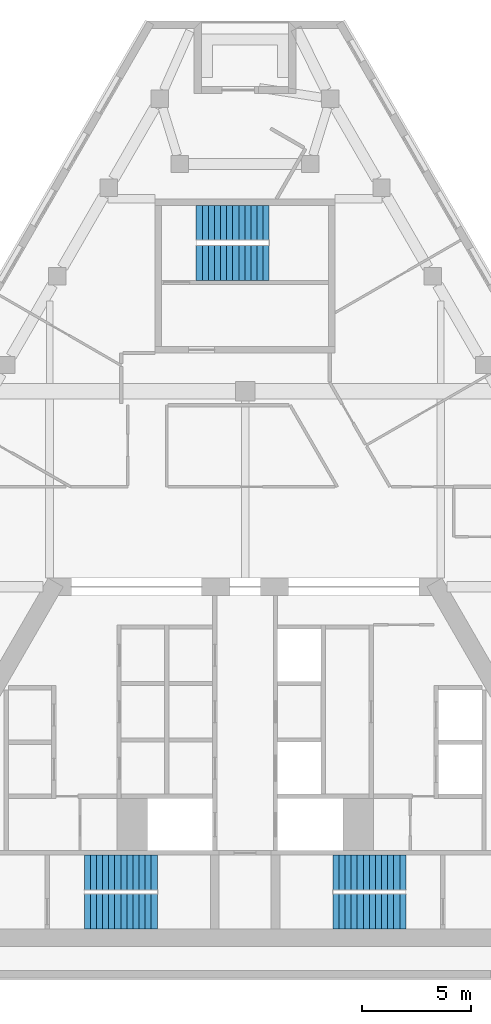
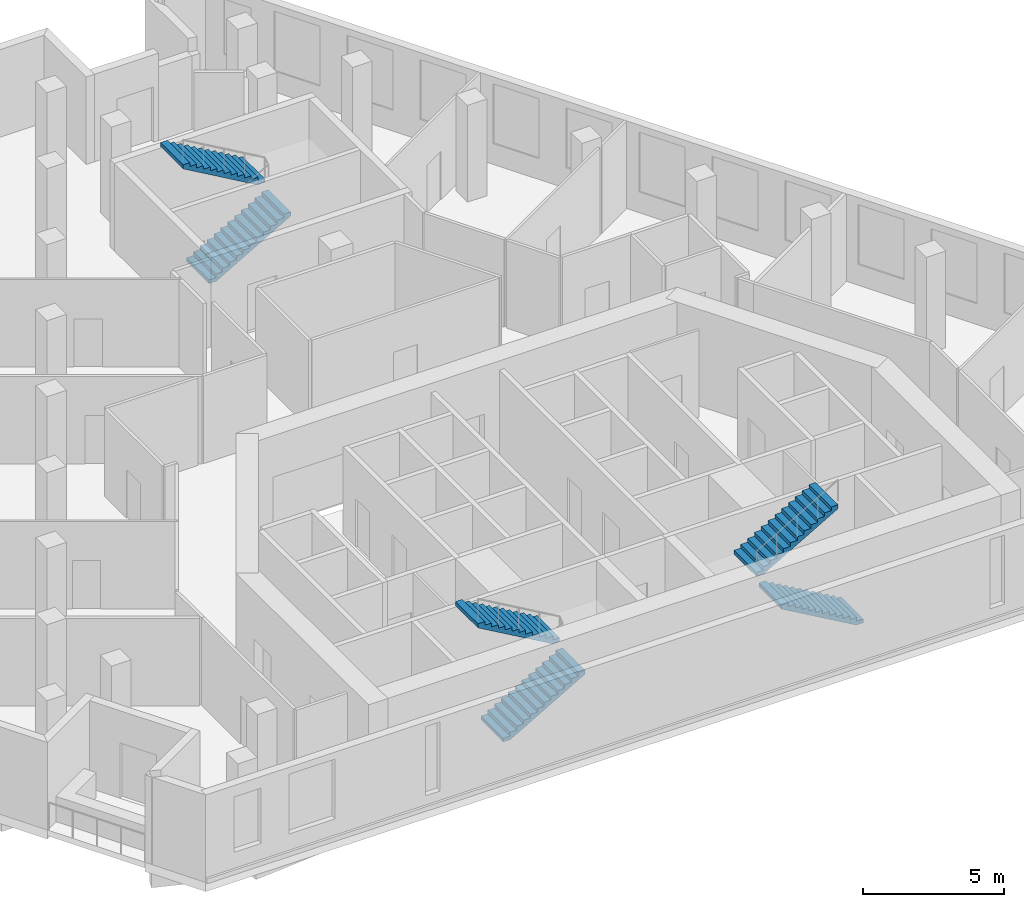
# One storey, part 8 of 9: 6 stair flights, 3 elements without a shape of their own.
"""IFC4 building model written with IfcOpenShell, lengths in metres."""

from ifc_helpers import new_model, si_unit, direction, frame, origin, place, context, subcontext, project, spatial, polyline, outline, extrude, material, type_object, element, aggregate, save


model = new_model("IFC4")

# Units and contexts
model_context = context("Model", 3, precision=1e-05, world=origin(), true_north=direction((0.0, 1.0)))
body_context = subcontext(model_context, "Body", "Model", "MODEL_VIEW")
ifc_project = project(units=[si_unit("LENGTHUNIT", "METRE"), si_unit("AREAUNIT", "SQUARE_METRE"), si_unit("VOLUMEUNIT", "CUBIC_METRE"), si_unit("PLANEANGLEUNIT", "RADIAN"), si_unit("MASSUNIT", "GRAM", prefix="KILO")], contexts=[model_context])

# Site, building, storey
site_placement = place(None, origin())
site = spatial("IfcSite", under=ifc_project, at=site_placement, CompositionType="ELEMENT")
building_placement = place(site_placement, origin())
building = spatial("IfcBuilding", under=site, at=building_placement, Name="Fogline Exchange Tower", CompositionType="ELEMENT")
storey_placement = place(building_placement, frame((0.0, 0.0, 279.300048828125)))
storey = spatial("IfcBuildingStorey", under=building, at=storey_placement, Name="L63", CompositionType="ELEMENT", Elevation=279.300048828125)

# Stair, stair flights
ifc_material = material(Name="Concrete C40", Category="concrete")
stair_type = type_object("IfcStairType", Name="STR26-1615", PredefinedType="HALF_TURN_STAIR", material=ifc_material)
stair_1_placement = place(storey_placement, origin())
stair_1 = element("IfcStair", 1, at=stair_1_placement, inside=storey, type_object=stair_type, Name="Stair ST1", PredefinedType="HALF_TURN_STAIR")
stair_flight_type = type_object("IfcStairFlightType", Name="SF13-1615", PredefinedType="STRAIGHT", material=ifc_material)
stair_flight_1_placement = place(storey_placement, frame((-7.39990234375, 3.050048828125, 0.0), z_axis=(0.0, 0.0, 1.0), x_axis=(1.0, 0.0, 0.0)))
stair_flight_1 = element("IfcStairFlight", 2, at=stair_flight_1_placement, type_object=stair_flight_type, Name="ST1 flight 1", NumberOfRisers=13, NumberOfTreads=12, PredefinedType="STRAIGHT", RiserHeight=0.161538462, TreadLength=0.28, context=body_context, shape_type="SweptSolid", body=[
    extrude(outline(polyline([(0.0, 0.0), (0.0, 0.16162109375), (0.280029296875, 0.16162109375), (0.280029296875, 0.322998046875), (0.56005859375, 0.322998046875), (0.56005859375, 0.484619140625), (0.840087890625, 0.484619140625), (0.840087890625, 0.646240234375), (1.1201171875, 0.646240234375), (1.1201171875, 0.8076171875), (1.39990234375, 0.8076171875), (1.39990234375, 0.96923828125), (1.679931640625, 0.96923828125), (1.679931640625, 1.130859375), (1.9599609375, 1.130859375), (1.9599609375, 1.292236328125), (2.239990234375, 1.292236328125), (2.239990234375, 1.453857421875), (2.52001953125, 1.453857421875), (2.52001953125, 1.615478515625), (2.800048828125, 1.615478515625), (2.800048828125, 1.77685546875), (3.080078125, 1.77685546875), (3.080078125, 1.9384765625), (3.360107421875, 1.9384765625), (3.360107421875, 2.10009765625), (3.360107421875, 1.765380859375), (0.300048828125, 0.0), (0.0, 0.0)])), frame((0.0, 0.800048828125, 0.0), z_axis=(0.0, -1.0, 0.0), x_axis=(1.0, 0.0, 0.0)), (0.0, 0.0, 1.0), 1.60009765625),
])
stair_flight_2_placement = place(storey_placement, frame((-4.0400390625, 4.85009765625, 2.099853515625), z_axis=(0.0, 0.0, 1.0), x_axis=(-1.0, 0.0, 0.0)))
stair_flight_2 = element("IfcStairFlight", 3, at=stair_flight_2_placement, type_object=stair_flight_type, Name="ST1 flight 2", NumberOfRisers=13, NumberOfTreads=12, PredefinedType="STRAIGHT", RiserHeight=0.161538462, TreadLength=0.28, context=body_context, shape_type="SweptSolid", body=[
    extrude(outline(polyline([(0.0, 0.0), (0.0, 0.16162109375), (0.280029296875, 0.16162109375), (0.280029296875, 0.322998046875), (0.56005859375, 0.322998046875), (0.56005859375, 0.484619140625), (0.840087890625, 0.484619140625), (0.840087890625, 0.646240234375), (1.1201171875, 0.646240234375), (1.1201171875, 0.8076171875), (1.39990234375, 0.8076171875), (1.39990234375, 0.96923828125), (1.679931640625, 0.96923828125), (1.679931640625, 1.130859375), (1.9599609375, 1.130859375), (1.9599609375, 1.292236328125), (2.239990234375, 1.292236328125), (2.239990234375, 1.453857421875), (2.52001953125, 1.453857421875), (2.52001953125, 1.615478515625), (2.800048828125, 1.615478515625), (2.800048828125, 1.77685546875), (3.080078125, 1.77685546875), (3.080078125, 1.9384765625), (3.360107421875, 1.9384765625), (3.360107421875, 2.10009765625), (3.360107421875, 1.765380859375), (0.300048828125, 0.0), (0.0, 0.0)])), frame((0.0, 0.800048828125, 0.0), z_axis=(0.0, -1.0, 0.0), x_axis=(1.0, 0.0, 0.0)), (0.0, 0.0, 1.0), 1.60009765625),
])
aggregate(stair_1, [stair_flight_1, stair_flight_2])

stair_2_placement = place(storey_placement, origin())
stair_2 = element("IfcStair", 4, at=stair_2_placement, inside=storey, type_object=stair_type, Name="Stair ST2", PredefinedType="HALF_TURN_STAIR")
stair_flight_3_placement = place(storey_placement, frame((7.39990234375, 3.050048828125, 0.0), z_axis=(0.0, 0.0, 1.0), x_axis=(-1.0, 0.0, 0.0)))
stair_flight_3 = element("IfcStairFlight", 5, at=stair_flight_3_placement, type_object=stair_flight_type, Name="ST2 flight 1", NumberOfRisers=13, NumberOfTreads=12, PredefinedType="STRAIGHT", RiserHeight=0.161538462, TreadLength=0.28, context=body_context, shape_type="SweptSolid", body=[
    extrude(outline(polyline([(0.0, 0.0), (0.0, 0.16162109375), (0.280029296875, 0.16162109375), (0.280029296875, 0.322998046875), (0.56005859375, 0.322998046875), (0.56005859375, 0.484619140625), (0.840087890625, 0.484619140625), (0.840087890625, 0.646240234375), (1.1201171875, 0.646240234375), (1.1201171875, 0.8076171875), (1.39990234375, 0.8076171875), (1.39990234375, 0.96923828125), (1.679931640625, 0.96923828125), (1.679931640625, 1.130859375), (1.9599609375, 1.130859375), (1.9599609375, 1.292236328125), (2.239990234375, 1.292236328125), (2.239990234375, 1.453857421875), (2.52001953125, 1.453857421875), (2.52001953125, 1.615478515625), (2.800048828125, 1.615478515625), (2.800048828125, 1.77685546875), (3.080078125, 1.77685546875), (3.080078125, 1.9384765625), (3.360107421875, 1.9384765625), (3.360107421875, 2.10009765625), (3.360107421875, 1.765380859375), (0.300048828125, 0.0), (0.0, 0.0)])), frame((0.0, 0.800048828125, 0.0), z_axis=(0.0, -1.0, 0.0), x_axis=(1.0, 0.0, 0.0)), (0.0, 0.0, 1.0), 1.60009765625),
])
stair_flight_4_placement = place(storey_placement, frame((4.0400390625, 4.85009765625, 2.099853515625), z_axis=(0.0, 0.0, 1.0), x_axis=(1.0, 0.0, 0.0)))
stair_flight_4 = element("IfcStairFlight", 6, at=stair_flight_4_placement, type_object=stair_flight_type, Name="ST2 flight 2", NumberOfRisers=13, NumberOfTreads=12, PredefinedType="STRAIGHT", RiserHeight=0.161538462, TreadLength=0.28, context=body_context, shape_type="SweptSolid", body=[
    extrude(outline(polyline([(0.0, 0.0), (0.0, 0.16162109375), (0.280029296875, 0.16162109375), (0.280029296875, 0.322998046875), (0.56005859375, 0.322998046875), (0.56005859375, 0.484619140625), (0.840087890625, 0.484619140625), (0.840087890625, 0.646240234375), (1.1201171875, 0.646240234375), (1.1201171875, 0.8076171875), (1.39990234375, 0.8076171875), (1.39990234375, 0.96923828125), (1.679931640625, 0.96923828125), (1.679931640625, 1.130859375), (1.9599609375, 1.130859375), (1.9599609375, 1.292236328125), (2.239990234375, 1.292236328125), (2.239990234375, 1.453857421875), (2.52001953125, 1.453857421875), (2.52001953125, 1.615478515625), (2.800048828125, 1.615478515625), (2.800048828125, 1.77685546875), (3.080078125, 1.77685546875), (3.080078125, 1.9384765625), (3.360107421875, 1.9384765625), (3.360107421875, 2.10009765625), (3.360107421875, 1.765380859375), (0.300048828125, 0.0), (0.0, 0.0)])), frame((0.0, 0.800048828125, 0.0), z_axis=(0.0, -1.0, 0.0), x_axis=(1.0, 0.0, 0.0)), (0.0, 0.0, 1.0), 1.60009765625),
])
aggregate(stair_2, [stair_flight_3, stair_flight_4])

stair_3_placement = place(storey_placement, origin())
stair_3 = element("IfcStair", 7, at=stair_3_placement, inside=storey, type_object=stair_type, Name="Stair ST3", PredefinedType="HALF_TURN_STAIR")
stair_flight_5_placement = place(storey_placement, frame((-2.25, 32.906982421875, 0.0), z_axis=(0.0, 0.0, 1.0), x_axis=(1.0, 0.0, 0.0)))
stair_flight_5 = element("IfcStairFlight", 8, at=stair_flight_5_placement, type_object=stair_flight_type, Name="ST3 flight 1", NumberOfRisers=13, NumberOfTreads=12, PredefinedType="STRAIGHT", RiserHeight=0.161538462, TreadLength=0.28, context=body_context, shape_type="SweptSolid", body=[
    extrude(outline(polyline([(0.0, 0.0), (0.0, 0.16162109375), (0.280029296875, 0.16162109375), (0.280029296875, 0.322998046875), (0.56005859375, 0.322998046875), (0.56005859375, 0.484619140625), (0.840087890625, 0.484619140625), (0.840087890625, 0.646240234375), (1.1201171875, 0.646240234375), (1.1201171875, 0.8076171875), (1.39990234375, 0.8076171875), (1.39990234375, 0.96923828125), (1.679931640625, 0.96923828125), (1.679931640625, 1.130859375), (1.9599609375, 1.130859375), (1.9599609375, 1.292236328125), (2.239990234375, 1.292236328125), (2.239990234375, 1.453857421875), (2.52001953125, 1.453857421875), (2.52001953125, 1.615478515625), (2.800048828125, 1.615478515625), (2.800048828125, 1.77685546875), (3.080078125, 1.77685546875), (3.080078125, 1.9384765625), (3.360107421875, 1.9384765625), (3.360107421875, 2.10009765625), (3.360107421875, 1.765380859375), (0.300048828125, 0.0), (0.0, 0.0)])), frame((0.0, 0.800048828125, 0.0), z_axis=(0.0, -1.0, 0.0), x_axis=(1.0, 0.0, 0.0)), (0.0, 0.0, 1.0), 1.60009765625),
])
stair_flight_6_placement = place(storey_placement, frame((1.110107421875, 34.757080078125, 2.099853515625), z_axis=(0.0, 0.0, 1.0), x_axis=(-1.0, 0.0, 0.0)))
stair_flight_6 = element("IfcStairFlight", 9, at=stair_flight_6_placement, type_object=stair_flight_type, Name="ST3 flight 2", NumberOfRisers=13, NumberOfTreads=12, PredefinedType="STRAIGHT", RiserHeight=0.161538462, TreadLength=0.28, context=body_context, shape_type="SweptSolid", body=[
    extrude(outline(polyline([(0.0, 0.0), (0.0, 0.16162109375), (0.280029296875, 0.16162109375), (0.280029296875, 0.322998046875), (0.56005859375, 0.322998046875), (0.56005859375, 0.484619140625), (0.840087890625, 0.484619140625), (0.840087890625, 0.646240234375), (1.1201171875, 0.646240234375), (1.1201171875, 0.8076171875), (1.39990234375, 0.8076171875), (1.39990234375, 0.96923828125), (1.679931640625, 0.96923828125), (1.679931640625, 1.130859375), (1.9599609375, 1.130859375), (1.9599609375, 1.292236328125), (2.239990234375, 1.292236328125), (2.239990234375, 1.453857421875), (2.52001953125, 1.453857421875), (2.52001953125, 1.615478515625), (2.800048828125, 1.615478515625), (2.800048828125, 1.77685546875), (3.080078125, 1.77685546875), (3.080078125, 1.9384765625), (3.360107421875, 1.9384765625), (3.360107421875, 2.10009765625), (3.360107421875, 1.765380859375), (0.300048828125, 0.0), (0.0, 0.0)])), frame((0.0, 0.800048828125, 0.0), z_axis=(0.0, -1.0, 0.0), x_axis=(1.0, 0.0, 0.0)), (0.0, 0.0, 1.0), 1.60009765625),
])
aggregate(stair_3, [stair_flight_5, stair_flight_6])

save(model, "model.ifc")
